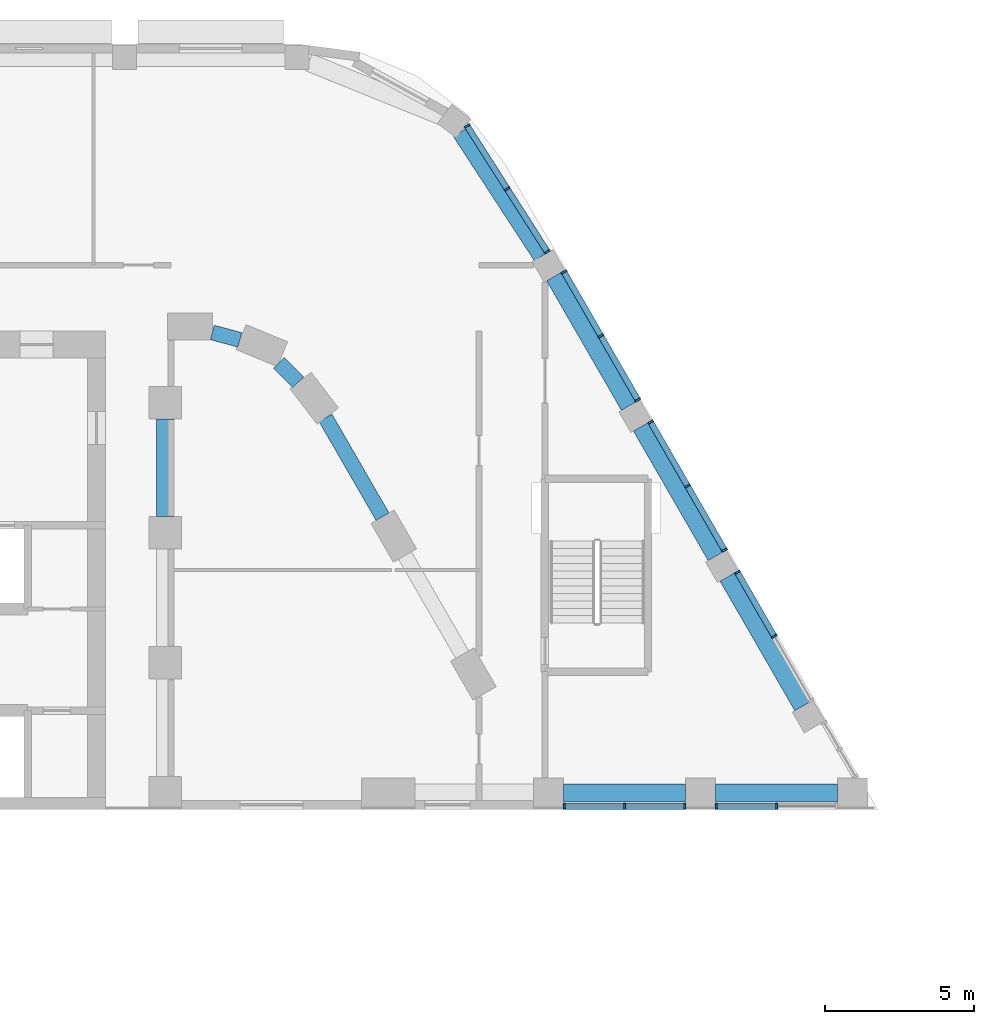
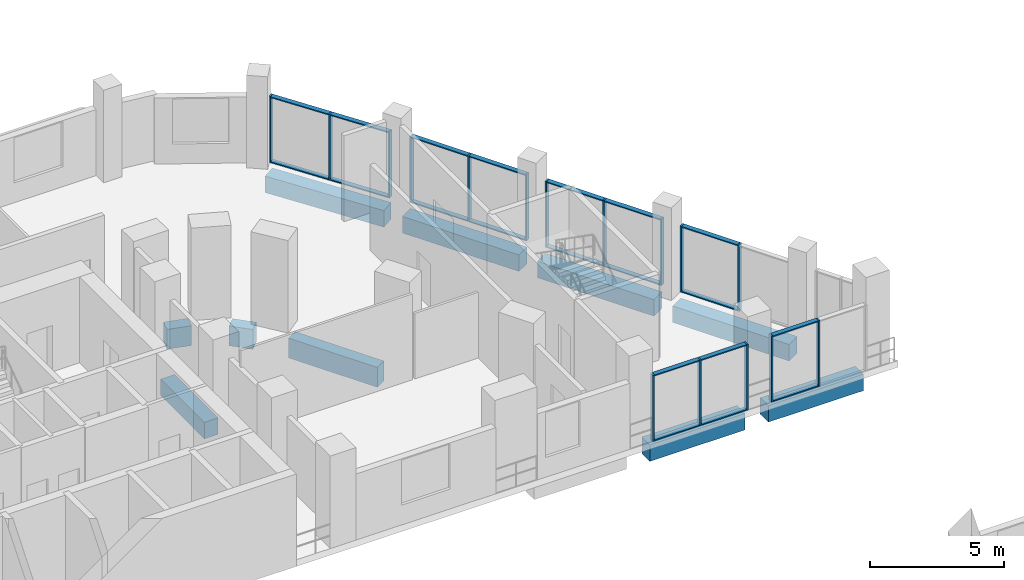
# One storey, part 4 of 45: 36 members, 10 beams, 6 elements without a shape of their own.
"""IFC4 building model written with IfcOpenShell, lengths in metres."""

from ifc_helpers import new_model, si_unit, direction, frame, origin, origin_2d, place, context, subcontext, project, spatial, rectangle, extrude, material, layer, layer_set, material_profile, profile_set, type_object, element, aggregate, save


model = new_model("IFC4")

# Units and contexts
model_context = context("Model", 3, precision=1e-05, world=origin(), true_north=direction((0.0, 1.0)))
body_context = subcontext(model_context, "Body", "Model", "MODEL_VIEW")
ifc_project = project(units=[si_unit("LENGTHUNIT", "METRE"), si_unit("AREAUNIT", "SQUARE_METRE"), si_unit("VOLUMEUNIT", "CUBIC_METRE"), si_unit("PLANEANGLEUNIT", "RADIAN"), si_unit("MASSUNIT", "GRAM", prefix="KILO")], contexts=[model_context])

# Site, building, storey
site_placement = place(None, origin())
site = spatial("IfcSite", under=ifc_project, at=site_placement, CompositionType="ELEMENT")
building_placement = place(site_placement, origin())
building = spatial("IfcBuilding", under=site, at=building_placement, Name="Nakaniwa Court", CompositionType="ELEMENT")
storey_placement = place(building_placement, frame((0.0, 0.0, 11.39990234375)))
storey = spatial("IfcBuildingStorey", under=building, at=storey_placement, Name="L02", CompositionType="ELEMENT", Elevation=11.39990234375)

# Beams
ifc_material_1 = material(Name="Concrete C100/115", Category="concrete")
ifc_material_profile_1 = material_profile(ifc_material_1, rectangle(XDim=0.5, YDim=0.89990234375, at=origin_2d()), Name="Concrete C100/115 RC 500x900 spandrel beam")
ifc_profile_set_1 = profile_set([ifc_material_profile_1], Name="Concrete C100/115")
beam_type_1 = type_object("IfcBeamType", Name="Concrete C100/115 RC 500x900 spandrel beam", PredefinedType="BEAM", material=ifc_profile_set_1)
beam_1_placement = place(storey_placement, frame((97.2705078125, 97.1865234375, -0.75), z_axis=(-0.500023067617, 0.86601208528, 0.0), x_axis=(-0.86601208528, -0.500023067617, 0.0)))
element("IfcBeam", 1, at=beam_1_placement, inside=storey, type_object=beam_type_1, Name="SPANDREL BEAM", PredefinedType="BEAM", context=body_context, shape_type="SweptSolid", body=[
    extrude(rectangle(XDim=0.5, YDim=0.89990234375, at=origin_2d()), origin(), (0.0, 0.0, 1.0), 3.819580078125),
])
beam_2_placement = place(storey_placement, frame((94.448486328125, 101.68505859375, -0.75), z_axis=(-0.705908410536, 0.708303124329, 0.0), x_axis=(-0.708303124329, -0.705908410536, 0.0)))
element("IfcBeam", 2, at=beam_2_placement, inside=storey, type_object=beam_type_1, Name="SPANDREL BEAM", PredefinedType="BEAM", context=body_context, shape_type="SweptSolid", body=[
    extrude(rectangle(XDim=0.5, YDim=0.89990234375, at=origin_2d()), origin(), (0.0, 0.0, 1.0), 0.91748046875),
])
beam_3_placement = place(storey_placement, frame((92.49609375, 103.10498046875, -0.75), z_axis=(-0.966324126494, 0.257327966912, 0.0), x_axis=(-0.257327966912, -0.966324126494, 0.0)))
element("IfcBeam", 3, at=beam_3_placement, inside=storey, type_object=beam_type_1, Name="SPANDREL BEAM", PredefinedType="BEAM", context=body_context, shape_type="SweptSolid", body=[
    extrude(rectangle(XDim=0.5, YDim=0.89990234375, at=origin_2d()), origin(), (0.0, 0.0, 1.0), 0.95361328125),
])
ifc_material_profile_2 = material_profile(ifc_material_1, rectangle(XDim=0.60009765625, YDim=0.75, at=origin_2d()), Name="Concrete C100/115 RC 600x750 ring beam")
ifc_profile_set_2 = profile_set([ifc_material_profile_2], Name="Concrete C100/115")
beam_type_2 = type_object("IfcBeamType", Name="Concrete C100/115 RC 600x750 ring beam", PredefinedType="BEAM", material=ifc_profile_set_2)
beam_4_placement = place(storey_placement, frame((90.0, 97.199951171875, -0.6748046875), z_axis=(0.0, 1.0, 0.0), x_axis=(-1.0, 0.0, 0.0)))
element("IfcBeam", 4, at=beam_4_placement, inside=storey, type_object=beam_type_2, Name="RING BEAM", PredefinedType="BEAM", context=body_context, shape_type="SweptSolid", body=[
    extrude(rectangle(XDim=0.60009765625, YDim=0.75, at=origin_2d()), origin(), (0.0, 0.0, 1.0), 3.25),
])
for number, where, z_axis, x_axis, name in (
    (5, (111.322998046875, 90.8466796875, -0.6748046875), (-0.499960447986, 0.866048237946, 0.0), (-0.866048237946, -0.499960447986, 0.0), "RING BEAM"),
    (6, (108.422119140625, 95.87158203125, -0.6748046875), (-0.499997052475, 0.866027105532, 0.0), (-0.866027105532, -0.499997052475, 0.0), "RING BEAM"),
):
    element("IfcBeam", number, at=place(storey_placement, frame(where, z_axis=z_axis, x_axis=x_axis)), inside=storey, type_object=beam_type_2, Name=name, PredefinedType="BEAM", context=body_context, shape_type="SweptSolid", body=[
        extrude(rectangle(XDim=0.60009765625, YDim=0.75, at=origin_2d()), origin(), (0.0, 0.0, 1.0), 5.00244140625),
    ])
beam_5_placement = place(storey_placement, frame((105.520751953125, 100.896728515625, -0.6748046875), z_axis=(-0.499981580887, 0.866036037803, 0.0), x_axis=(-0.866036037803, -0.499981580887, 0.0)))
element("IfcBeam", 7, at=beam_5_placement, inside=storey, type_object=beam_type_2, Name="RING BEAM", PredefinedType="BEAM", context=body_context, shape_type="SweptSolid", body=[
    extrude(rectangle(XDim=0.60009765625, YDim=0.75, at=origin_2d()), origin(), (0.0, 0.0, 1.0), 5.002197265625),
])
beam_6_placement = place(storey_placement, frame((102.600830078125, 105.910888671875, -0.6748046875), z_axis=(-0.546240745353, 0.837628227865, 0.0), x_axis=(-0.837628227865, -0.546240745353, 0.0)))
element("IfcBeam", 8, at=beam_6_placement, inside=storey, type_object=beam_type_2, Name="RING BEAM", PredefinedType="BEAM", context=body_context, shape_type="SweptSolid", body=[
    extrude(rectangle(XDim=0.60009765625, YDim=0.75, at=origin_2d()), origin(), (0.0, 0.0, 1.0), 4.95849609375),
])
beam_7_placement = place(storey_placement, frame((103.322998046875, 87.949951171875, -0.6748046875), z_axis=(1.0, 0.0, 0.0), x_axis=(0.0, 1.0, 0.0)))
element("IfcBeam", 9, at=beam_7_placement, inside=storey, type_object=beam_type_2, Name="RING BEAM", PredefinedType="BEAM", context=body_context, shape_type="SweptSolid", body=[
    extrude(rectangle(XDim=0.60009765625, YDim=0.75, at=origin_2d()), origin(), (0.0, 0.0, 1.0), 4.0859375),
])
beam_8_placement = place(storey_placement, frame((108.408935546875, 87.949951171875, -0.6748046875), z_axis=(1.0, 0.0, 0.0), x_axis=(0.0, 1.0, 0.0)))
element("IfcBeam", 10, at=beam_8_placement, inside=storey, type_object=beam_type_2, Name="RING BEAM", PredefinedType="BEAM", context=body_context, shape_type="SweptSolid", body=[
    extrude(rectangle(XDim=0.60009765625, YDim=0.75, at=origin_2d()), origin(), (0.0, 0.0, 1.0), 4.087158203125),
])

# Curtain wall, members
ifc_material_2 = material(Name="Black anodised aluminium frame with dark low-E laminated double glazing", Category="aluminium")
ifc_layer = layer(ifc_material_2, 0.199951171875)
ifc_layer_set = layer_set([ifc_layer], Name="Black anodised aluminium frame with dark low-E laminated double glazing")
curtain_wall_type = type_object("IfcCurtainWallType", Name="Podium unitised curtain wall", PredefinedType="NOTDEFINED", material=ifc_layer_set)
curtain_wall_1_placement = place(storey_placement, origin())
curtain_wall_1 = element("IfcCurtainWall", 11, at=curtain_wall_1_placement, inside=storey, type_object=curtain_wall_type, Name="L02 curtain wall CW1 37", PredefinedType="NOTDEFINED")
ifc_material_3 = material(Name="Black anodised aluminium extrusion", Category="aluminium")
ifc_material_profile_3 = material_profile(ifc_material_3, rectangle(XDim=0.199951171875, YDim=0.06494140625, at=origin_2d()), Name="Podium unitised curtain wall mullion 65x200")
ifc_profile_set_3 = profile_set([ifc_material_profile_3], Name="Black anodised aluminium extrusion")
member_type_1 = type_object("IfcMemberType", Name="Podium unitised curtain wall mullion 65x200", PredefinedType="MULLION", material=ifc_profile_set_3)
member_1_placement = place(storey_placement, frame((103.3515625, 87.5, 0.0), z_axis=(0.0, 0.0, 1.0), x_axis=(0.0, 1.0, 0.0)))
member_1 = element("IfcMember", 12, at=member_1_placement, type_object=member_type_1, Name="CW1 mullion 1", PredefinedType="MULLION", context=body_context, shape_type="SweptSolid", body=[
    extrude(rectangle(XDim=0.199951171875, YDim=0.06494140625, at=origin_2d()), origin(), (0.0, 0.0, 1.0), 3.0),
])
member_2_placement = place(storey_placement, frame((105.365966796875, 87.5, 0.0), z_axis=(0.0, 0.0, 1.0), x_axis=(0.0, 1.0, 0.0)))
member_2 = element("IfcMember", 13, at=member_2_placement, type_object=member_type_1, Name="CW1 mullion 2", PredefinedType="MULLION", context=body_context, shape_type="SweptSolid", body=[
    extrude(rectangle(XDim=0.199951171875, YDim=0.06494140625, at=origin_2d()), origin(), (0.0, 0.0, 1.0), 3.0),
])
member_3_placement = place(storey_placement, frame((107.380615234375, 87.5, 0.0), z_axis=(0.0, 0.0, 1.0), x_axis=(0.0, 1.0, 0.0)))
member_3 = element("IfcMember", 14, at=member_3_placement, type_object=member_type_1, Name="CW1 mullion 3", PredefinedType="MULLION", context=body_context, shape_type="SweptSolid", body=[
    extrude(rectangle(XDim=0.199951171875, YDim=0.06494140625, at=origin_2d()), origin(), (0.0, 0.0, 1.0), 3.0),
])

curtain_wall_2_placement = place(storey_placement, origin())
curtain_wall_2 = element("IfcCurtainWall", 15, at=curtain_wall_2_placement, inside=storey, type_object=curtain_wall_type, Name="L02 curtain wall CW1 38", PredefinedType="NOTDEFINED")
member_4_placement = place(storey_placement, frame((108.4375, 87.5, 0.0), z_axis=(0.0, 0.0, 1.0), x_axis=(0.0, 1.0, 0.0)))
member_4 = element("IfcMember", 16, at=member_4_placement, type_object=member_type_1, Name="CW1 mullion 1", PredefinedType="MULLION", context=body_context, shape_type="SweptSolid", body=[
    extrude(rectangle(XDim=0.199951171875, YDim=0.06494140625, at=origin_2d()), origin(), (0.0, 0.0, 1.0), 3.0),
])
member_5_placement = place(storey_placement, frame((110.452392578125, 87.5, 0.0), z_axis=(0.0, 0.0, 1.0), x_axis=(0.0, 1.0, 0.0)))
member_5 = element("IfcMember", 17, at=member_5_placement, type_object=member_type_1, Name="CW1 mullion 2", PredefinedType="MULLION", context=body_context, shape_type="SweptSolid", body=[
    extrude(rectangle(XDim=0.199951171875, YDim=0.06494140625, at=origin_2d()), origin(), (0.0, 0.0, 1.0), 3.0),
])

curtain_wall_3_placement = place(storey_placement, origin())
curtain_wall_3 = element("IfcCurtainWall", 18, at=curtain_wall_3_placement, inside=storey, type_object=curtain_wall_type, Name="L02 curtain wall CW1 40", PredefinedType="NOTDEFINED")
member_6_placement = place(storey_placement, frame((110.375732421875, 93.187744140625, 0.0), z_axis=(0.0, 0.0, 1.0), x_axis=(-0.866032365426, -0.499987941889, 0.0)))
member_6 = element("IfcMember", 19, at=member_6_placement, type_object=member_type_1, Name="CW1 mullion 2", PredefinedType="MULLION", context=body_context, shape_type="SweptSolid", body=[
    extrude(rectangle(XDim=0.199951171875, YDim=0.06494140625, at=origin_2d()), origin(), (0.0, 0.0, 1.0), 3.0),
])
member_7_placement = place(storey_placement, frame((109.139404296875, 95.329345703125, 0.0), z_axis=(0.0, 0.0, 1.0), x_axis=(-0.866032365426, -0.499987941889, 0.0)))
member_7 = element("IfcMember", 20, at=member_7_placement, type_object=member_type_1, Name="CW1 mullion 3", PredefinedType="MULLION", context=body_context, shape_type="SweptSolid", body=[
    extrude(rectangle(XDim=0.199951171875, YDim=0.06494140625, at=origin_2d()), origin(), (0.0, 0.0, 1.0), 3.0),
])

curtain_wall_4_placement = place(storey_placement, origin())
curtain_wall_4 = element("IfcCurtainWall", 21, at=curtain_wall_4_placement, inside=storey, type_object=curtain_wall_type, Name="L02 curtain wall CW1 41", PredefinedType="NOTDEFINED")
member_8_placement = place(storey_placement, frame((108.7109375, 96.0712890625, 0.0), z_axis=(0.0, 0.0, 1.0), x_axis=(-0.866028712692, -0.499994268761, 0.0)))
member_8 = element("IfcMember", 22, at=member_8_placement, type_object=member_type_1, Name="CW1 mullion 1", PredefinedType="MULLION", context=body_context, shape_type="SweptSolid", body=[
    extrude(rectangle(XDim=0.199951171875, YDim=0.06494140625, at=origin_2d()), origin(), (0.0, 0.0, 1.0), 3.0),
])
member_9_placement = place(storey_placement, frame((107.474609375, 98.212890625, 0.0), z_axis=(0.0, 0.0, 1.0), x_axis=(-0.866028712692, -0.499994268761, 0.0)))
member_9 = element("IfcMember", 23, at=member_9_placement, type_object=member_type_1, Name="CW1 mullion 2", PredefinedType="MULLION", context=body_context, shape_type="SweptSolid", body=[
    extrude(rectangle(XDim=0.199951171875, YDim=0.06494140625, at=origin_2d()), origin(), (0.0, 0.0, 1.0), 3.0),
])
member_10_placement = place(storey_placement, frame((106.238037109375, 100.354248046875, 0.0), z_axis=(0.0, 0.0, 1.0), x_axis=(-0.866028712692, -0.499994268761, 0.0)))
member_10 = element("IfcMember", 24, at=member_10_placement, type_object=member_type_1, Name="CW1 mullion 3", PredefinedType="MULLION", context=body_context, shape_type="SweptSolid", body=[
    extrude(rectangle(XDim=0.199951171875, YDim=0.06494140625, at=origin_2d()), origin(), (0.0, 0.0, 1.0), 3.0),
])

curtain_wall_5_placement = place(storey_placement, origin())
curtain_wall_5 = element("IfcCurtainWall", 25, at=curtain_wall_5_placement, inside=storey, type_object=curtain_wall_type, Name="L02 curtain wall CW1 42", PredefinedType="NOTDEFINED")
member_11_placement = place(storey_placement, frame((105.8095703125, 101.096435546875, 0.0), z_axis=(0.0, 0.0, 1.0), x_axis=(-0.866032365426, -0.499987941889, 0.0)))
member_11 = element("IfcMember", 26, at=member_11_placement, type_object=member_type_1, Name="CW1 mullion 1", PredefinedType="MULLION", context=body_context, shape_type="SweptSolid", body=[
    extrude(rectangle(XDim=0.199951171875, YDim=0.06494140625, at=origin_2d()), origin(), (0.0, 0.0, 1.0), 3.0),
])
member_12_placement = place(storey_placement, frame((104.5732421875, 103.23779296875, 0.0), z_axis=(0.0, 0.0, 1.0), x_axis=(-0.866032365426, -0.499987941889, 0.0)))
member_12 = element("IfcMember", 27, at=member_12_placement, type_object=member_type_1, Name="CW1 mullion 2", PredefinedType="MULLION", context=body_context, shape_type="SweptSolid", body=[
    extrude(rectangle(XDim=0.199951171875, YDim=0.06494140625, at=origin_2d()), origin(), (0.0, 0.0, 1.0), 3.0),
])
member_13_placement = place(storey_placement, frame((103.337158203125, 105.379150390625, 0.0), z_axis=(0.0, 0.0, 1.0), x_axis=(-0.866032365426, -0.499987941889, 0.0)))
member_13 = element("IfcMember", 28, at=member_13_placement, type_object=member_type_1, Name="CW1 mullion 3", PredefinedType="MULLION", context=body_context, shape_type="SweptSolid", body=[
    extrude(rectangle(XDim=0.199951171875, YDim=0.06494140625, at=origin_2d()), origin(), (0.0, 0.0, 1.0), 3.0),
])

curtain_wall_6_placement = place(storey_placement, origin())
curtain_wall_6 = element("IfcCurtainWall", 29, at=curtain_wall_6_placement, inside=storey, type_object=curtain_wall_type, Name="L02 curtain wall CW1 43", PredefinedType="NOTDEFINED")
member_14_placement = place(storey_placement, frame((102.780517578125, 106.0498046875, 0.0), z_axis=(0.0, 0.0, 1.0), x_axis=(-0.843171726606, -0.537644342899, 0.0)))
member_14 = element("IfcMember", 30, at=member_14_placement, type_object=member_type_1, Name="CW1 mullion 1", PredefinedType="MULLION", context=body_context, shape_type="SweptSolid", body=[
    extrude(rectangle(XDim=0.199951171875, YDim=0.06494140625, at=origin_2d()), origin(), (0.0, 0.0, 1.0), 3.0),
])
member_15_placement = place(storey_placement, frame((101.438720703125, 108.154296875, 0.0), z_axis=(0.0, 0.0, 1.0), x_axis=(-0.843171726606, -0.537644342899, 0.0)))
member_15 = element("IfcMember", 31, at=member_15_placement, type_object=member_type_1, Name="CW1 mullion 2", PredefinedType="MULLION", context=body_context, shape_type="SweptSolid", body=[
    extrude(rectangle(XDim=0.199951171875, YDim=0.06494140625, at=origin_2d()), origin(), (0.0, 0.0, 1.0), 3.0),
])
member_16_placement = place(storey_placement, frame((100.096923828125, 110.258544921875, 0.0), z_axis=(0.0, 0.0, 1.0), x_axis=(-0.843171726606, -0.537644342899, 0.0)))
member_16 = element("IfcMember", 32, at=member_16_placement, type_object=member_type_1, Name="CW1 mullion 3", PredefinedType="MULLION", context=body_context, shape_type="SweptSolid", body=[
    extrude(rectangle(XDim=0.199951171875, YDim=0.06494140625, at=origin_2d()), origin(), (0.0, 0.0, 1.0), 3.0),
])

# Member
ifc_material_profile_4 = material_profile(ifc_material_3, rectangle(XDim=0.199951171875, YDim=0.050048828125, at=origin_2d()), Name="Podium unitised curtain wall transom 50x200")
ifc_profile_set_4 = profile_set([ifc_material_profile_4], Name="Black anodised aluminium extrusion")
member_type_2 = type_object("IfcMemberType", Name="Podium unitised curtain wall transom 50x200", PredefinedType="USERDEFINED", material=ifc_profile_set_4)
member_17_placement = place(storey_placement, frame((103.384033203125, 87.5, 0.025146484375), z_axis=(1.0, 0.0, 0.0), x_axis=(0.0, 1.0, 0.0)))
member_17 = element("IfcMember", 33, at=member_17_placement, type_object=member_type_2, Name="CW1 transom 1.1", ObjectType="TRANSOM", PredefinedType="USERDEFINED", context=body_context, shape_type="SweptSolid", body=[
    extrude(rectangle(XDim=0.199951171875, YDim=0.050048828125, at=origin_2d()), origin(), (0.0, 0.0, 1.0), 1.949462890625),
])

member_18_placement = place(storey_placement, frame((103.384033203125, 87.5, 2.97509765625), z_axis=(1.0, 0.0, 0.0), x_axis=(0.0, 1.0, 0.0)))
member_18 = element("IfcMember", 34, at=member_18_placement, type_object=member_type_2, Name="CW1 transom 1.2", ObjectType="TRANSOM", PredefinedType="USERDEFINED", context=body_context, shape_type="SweptSolid", body=[
    extrude(rectangle(XDim=0.199951171875, YDim=0.050048828125, at=origin_2d()), origin(), (0.0, 0.0, 1.0), 1.949462890625),
])

member_19_placement = place(storey_placement, frame((105.3984375, 87.5, 0.025146484375), z_axis=(1.0, 0.0, 0.0), x_axis=(0.0, 1.0, 0.0)))
member_19 = element("IfcMember", 35, at=member_19_placement, type_object=member_type_2, Name="CW1 transom 2.1", ObjectType="TRANSOM", PredefinedType="USERDEFINED", context=body_context, shape_type="SweptSolid", body=[
    extrude(rectangle(XDim=0.199951171875, YDim=0.050048828125, at=origin_2d()), origin(), (0.0, 0.0, 1.0), 1.949462890625),
])

member_20_placement = place(storey_placement, frame((105.3984375, 87.5, 2.97509765625), z_axis=(1.0, 0.0, 0.0), x_axis=(0.0, 1.0, 0.0)))
member_20 = element("IfcMember", 36, at=member_20_placement, type_object=member_type_2, Name="CW1 transom 2.2", ObjectType="TRANSOM", PredefinedType="USERDEFINED", context=body_context, shape_type="SweptSolid", body=[
    extrude(rectangle(XDim=0.199951171875, YDim=0.050048828125, at=origin_2d()), origin(), (0.0, 0.0, 1.0), 1.949462890625),
])

aggregate(curtain_wall_1, [member_1, member_2, member_3, member_17, member_18, member_19, member_20])

member_21_placement = place(storey_placement, frame((108.469970703125, 87.5, 0.025146484375), z_axis=(1.0, 0.0, 0.0), x_axis=(0.0, 1.0, 0.0)))
member_21 = element("IfcMember", 37, at=member_21_placement, type_object=member_type_2, Name="CW1 transom 1.1", ObjectType="TRANSOM", PredefinedType="USERDEFINED", context=body_context, shape_type="SweptSolid", body=[
    extrude(rectangle(XDim=0.199951171875, YDim=0.050048828125, at=origin_2d()), origin(), (0.0, 0.0, 1.0), 1.949951171875),
])

member_22_placement = place(storey_placement, frame((108.469970703125, 87.5, 2.97509765625), z_axis=(1.0, 0.0, 0.0), x_axis=(0.0, 1.0, 0.0)))
member_22 = element("IfcMember", 38, at=member_22_placement, type_object=member_type_2, Name="CW1 transom 1.2", ObjectType="TRANSOM", PredefinedType="USERDEFINED", context=body_context, shape_type="SweptSolid", body=[
    extrude(rectangle(XDim=0.199951171875, YDim=0.050048828125, at=origin_2d()), origin(), (0.0, 0.0, 1.0), 1.949951171875),
])

aggregate(curtain_wall_2, [member_4, member_5, member_21, member_22])

member_23_placement = place(storey_placement, frame((110.359375, 93.216064453125, 0.025146484375), z_axis=(-0.50003260427, 0.866006578882, 0.0), x_axis=(-0.866006578882, -0.50003260427, 0.0)))
member_23 = element("IfcMember", 39, at=member_23_placement, type_object=member_type_2, Name="CW1 transom 2.1", ObjectType="TRANSOM", PredefinedType="USERDEFINED", context=body_context, shape_type="SweptSolid", body=[
    extrude(rectangle(XDim=0.199951171875, YDim=0.050048828125, at=origin_2d()), origin(), (0.0, 0.0, 1.0), 2.407470703125),
])

member_24_placement = place(storey_placement, frame((110.359375, 93.216064453125, 2.97509765625), z_axis=(-0.50003260427, 0.866006578882, 0.0), x_axis=(-0.866006578882, -0.50003260427, 0.0)))
member_24 = element("IfcMember", 40, at=member_24_placement, type_object=member_type_2, Name="CW1 transom 2.2", ObjectType="TRANSOM", PredefinedType="USERDEFINED", context=body_context, shape_type="SweptSolid", body=[
    extrude(rectangle(XDim=0.199951171875, YDim=0.050048828125, at=origin_2d()), origin(), (0.0, 0.0, 1.0), 2.407470703125),
])

aggregate(curtain_wall_3, [member_6, member_7, member_23, member_24])

member_25_placement = place(storey_placement, frame((108.694580078125, 96.099609375, 0.025146484375), z_axis=(-0.50003260427, 0.866006578882, 0.0), x_axis=(-0.866006578882, -0.50003260427, 0.0)))
member_25 = element("IfcMember", 41, at=member_25_placement, type_object=member_type_2, Name="CW1 transom 1.1", ObjectType="TRANSOM", PredefinedType="USERDEFINED", context=body_context, shape_type="SweptSolid", body=[
    extrude(rectangle(XDim=0.199951171875, YDim=0.050048828125, at=origin_2d()), origin(), (0.0, 0.0, 1.0), 2.407470703125),
])

member_26_placement = place(storey_placement, frame((108.694580078125, 96.099609375, 2.97509765625), z_axis=(-0.50003260427, 0.866006578882, 0.0), x_axis=(-0.866006578882, -0.50003260427, 0.0)))
member_26 = element("IfcMember", 42, at=member_26_placement, type_object=member_type_2, Name="CW1 transom 1.2", ObjectType="TRANSOM", PredefinedType="USERDEFINED", context=body_context, shape_type="SweptSolid", body=[
    extrude(rectangle(XDim=0.199951171875, YDim=0.050048828125, at=origin_2d()), origin(), (0.0, 0.0, 1.0), 2.407470703125),
])

member_27_placement = place(storey_placement, frame((107.458251953125, 98.240966796875, 0.025146484375), z_axis=(-0.499988695522, 0.866031930329, 0.0), x_axis=(-0.866031930329, -0.499988695522, 0.0)))
member_27 = element("IfcMember", 43, at=member_27_placement, type_object=member_type_2, Name="CW1 transom 2.1", ObjectType="TRANSOM", PredefinedType="USERDEFINED", context=body_context, shape_type="SweptSolid", body=[
    extrude(rectangle(XDim=0.199951171875, YDim=0.050048828125, at=origin_2d()), origin(), (0.0, 0.0, 1.0), 2.40771484375),
])

member_28_placement = place(storey_placement, frame((107.458251953125, 98.240966796875, 2.97509765625), z_axis=(-0.499988695522, 0.866031930329, 0.0), x_axis=(-0.866031930329, -0.499988695522, 0.0)))
member_28 = element("IfcMember", 44, at=member_28_placement, type_object=member_type_2, Name="CW1 transom 2.2", ObjectType="TRANSOM", PredefinedType="USERDEFINED", context=body_context, shape_type="SweptSolid", body=[
    extrude(rectangle(XDim=0.199951171875, YDim=0.050048828125, at=origin_2d()), origin(), (0.0, 0.0, 1.0), 2.40771484375),
])

aggregate(curtain_wall_4, [member_8, member_9, member_10, member_25, member_26, member_27, member_28])

member_29_placement = place(storey_placement, frame((105.79345703125, 101.12451171875, 0.025146484375), z_axis=(-0.499988695522, 0.866031930329, 0.0), x_axis=(-0.866031930329, -0.499988695522, 0.0)))
member_29 = element("IfcMember", 45, at=member_29_placement, type_object=member_type_2, Name="CW1 transom 1.1", ObjectType="TRANSOM", PredefinedType="USERDEFINED", context=body_context, shape_type="SweptSolid", body=[
    extrude(rectangle(XDim=0.199951171875, YDim=0.050048828125, at=origin_2d()), origin(), (0.0, 0.0, 1.0), 2.40771484375),
])

member_30_placement = place(storey_placement, frame((105.79345703125, 101.12451171875, 2.97509765625), z_axis=(-0.499988695522, 0.866031930329, 0.0), x_axis=(-0.866031930329, -0.499988695522, 0.0)))
member_30 = element("IfcMember", 46, at=member_30_placement, type_object=member_type_2, Name="CW1 transom 1.2", ObjectType="TRANSOM", PredefinedType="USERDEFINED", context=body_context, shape_type="SweptSolid", body=[
    extrude(rectangle(XDim=0.199951171875, YDim=0.050048828125, at=origin_2d()), origin(), (0.0, 0.0, 1.0), 2.40771484375),
])

member_31_placement = place(storey_placement, frame((104.55712890625, 103.265869140625, 0.025146484375), z_axis=(-0.499988695522, 0.866031930329, 0.0), x_axis=(-0.866031930329, -0.499988695522, 0.0)))
member_31 = element("IfcMember", 47, at=member_31_placement, type_object=member_type_2, Name="CW1 transom 2.1", ObjectType="TRANSOM", PredefinedType="USERDEFINED", context=body_context, shape_type="SweptSolid", body=[
    extrude(rectangle(XDim=0.199951171875, YDim=0.050048828125, at=origin_2d()), origin(), (0.0, 0.0, 1.0), 2.40771484375),
])

member_32_placement = place(storey_placement, frame((104.55712890625, 103.265869140625, 2.97509765625), z_axis=(-0.499988695522, 0.866031930329, 0.0), x_axis=(-0.866031930329, -0.499988695522, 0.0)))
member_32 = element("IfcMember", 48, at=member_32_placement, type_object=member_type_2, Name="CW1 transom 2.2", ObjectType="TRANSOM", PredefinedType="USERDEFINED", context=body_context, shape_type="SweptSolid", body=[
    extrude(rectangle(XDim=0.199951171875, YDim=0.050048828125, at=origin_2d()), origin(), (0.0, 0.0, 1.0), 2.40771484375),
])

aggregate(curtain_wall_5, [member_11, member_12, member_13, member_29, member_30, member_31, member_32])

member_33_placement = place(storey_placement, frame((102.762939453125, 106.077392578125, 0.025146484375), z_axis=(-0.537642140541, 0.843173130925, 0.0), x_axis=(-0.843173130925, -0.537642140541, 0.0)))
member_33 = element("IfcMember", 49, at=member_33_placement, type_object=member_type_2, Name="CW1 transom 1.1", ObjectType="TRANSOM", PredefinedType="USERDEFINED", context=body_context, shape_type="SweptSolid", body=[
    extrude(rectangle(XDim=0.199951171875, YDim=0.050048828125, at=origin_2d()), origin(), (0.0, 0.0, 1.0), 2.4306640625),
])

member_34_placement = place(storey_placement, frame((102.762939453125, 106.077392578125, 2.97509765625), z_axis=(-0.537642140541, 0.843173130925, 0.0), x_axis=(-0.843173130925, -0.537642140541, 0.0)))
member_34 = element("IfcMember", 50, at=member_34_placement, type_object=member_type_2, Name="CW1 transom 1.2", ObjectType="TRANSOM", PredefinedType="USERDEFINED", context=body_context, shape_type="SweptSolid", body=[
    extrude(rectangle(XDim=0.199951171875, YDim=0.050048828125, at=origin_2d()), origin(), (0.0, 0.0, 1.0), 2.4306640625),
])

member_35_placement = place(storey_placement, frame((101.421142578125, 108.181640625, 0.025146484375), z_axis=(-0.537642140541, 0.843173130925, 0.0), x_axis=(-0.843173130925, -0.537642140541, 0.0)))
member_35 = element("IfcMember", 51, at=member_35_placement, type_object=member_type_2, Name="CW1 transom 2.1", ObjectType="TRANSOM", PredefinedType="USERDEFINED", context=body_context, shape_type="SweptSolid", body=[
    extrude(rectangle(XDim=0.199951171875, YDim=0.050048828125, at=origin_2d()), origin(), (0.0, 0.0, 1.0), 2.4306640625),
])

member_36_placement = place(storey_placement, frame((101.421142578125, 108.181640625, 2.97509765625), z_axis=(-0.537642140541, 0.843173130925, 0.0), x_axis=(-0.843173130925, -0.537642140541, 0.0)))
member_36 = element("IfcMember", 52, at=member_36_placement, type_object=member_type_2, Name="CW1 transom 2.2", ObjectType="TRANSOM", PredefinedType="USERDEFINED", context=body_context, shape_type="SweptSolid", body=[
    extrude(rectangle(XDim=0.199951171875, YDim=0.050048828125, at=origin_2d()), origin(), (0.0, 0.0, 1.0), 2.4306640625),
])

aggregate(curtain_wall_6, [member_14, member_15, member_16, member_33, member_34, member_35, member_36])

save(model, "model.ifc")
